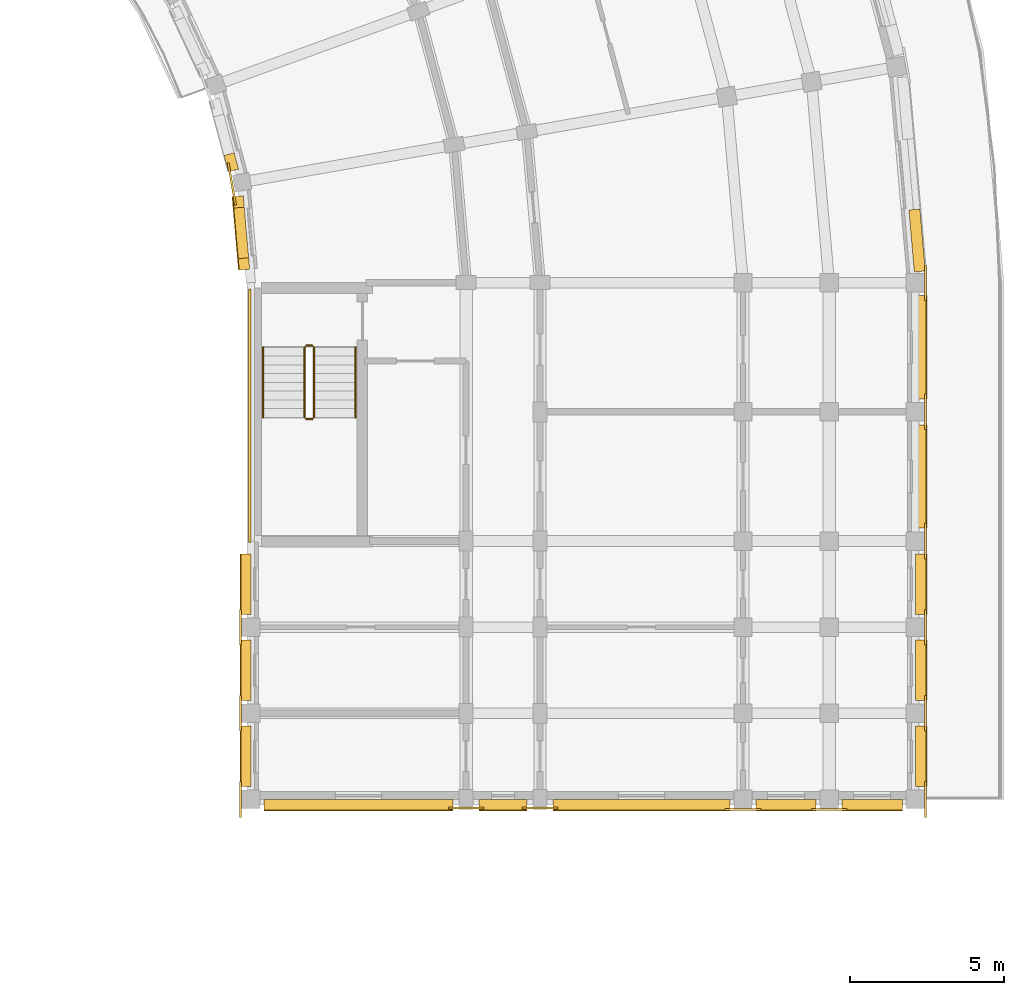
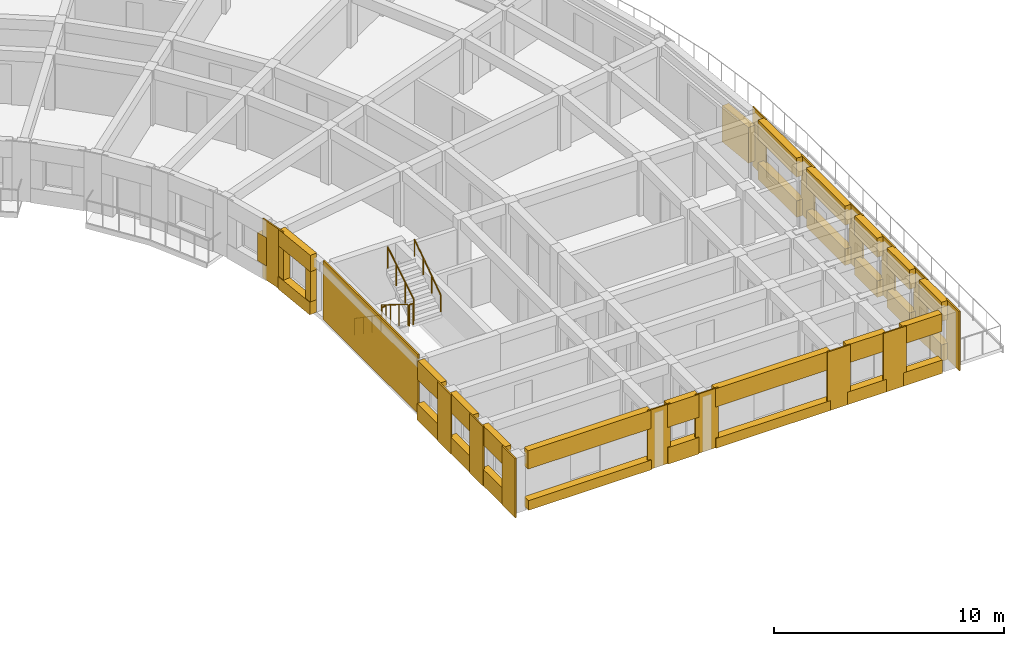
# One storey, part 38 of 41: 47 coverings, 6 railings.
"""IFC4 building model written with IfcOpenShell, lengths in metres."""

from ifc_helpers import new_model, si_unit, direction, frame, origin, origin_2d, place, context, subcontext, project, spatial, polyline, circle, outline, extrude, material, layer, layer_set, type_object, element, save


model = new_model("IFC4")

# Units and contexts
model_context = context("Model", 3, precision=1e-05, world=origin(), true_north=direction((0.0, 1.0)))
body_context = subcontext(model_context, "Body", "Model", "MODEL_VIEW")
ifc_project = project(units=[si_unit("LENGTHUNIT", "METRE"), si_unit("AREAUNIT", "SQUARE_METRE"), si_unit("VOLUMEUNIT", "CUBIC_METRE"), si_unit("PLANEANGLEUNIT", "RADIAN"), si_unit("MASSUNIT", "GRAM", prefix="KILO")], contexts=[model_context])

# Site, building, storey
site_placement = place(None, origin())
site = spatial("IfcSite", under=ifc_project, at=site_placement, CompositionType="ELEMENT")
building_placement = place(site_placement, origin())
building = spatial("IfcBuilding", under=site, at=building_placement, Name="Kiranvali Square Residences", CompositionType="ELEMENT")
storey_placement = place(building_placement, frame((0.0, 0.0, 33.89990234375)))
storey = spatial("IfcBuildingStorey", under=building, at=storey_placement, Name="L10", CompositionType="ELEMENT", Elevation=33.89990234375)

# Coverings
ifc_material_1 = material(Name="Honed Porbandar limestone ashlar facade cladding", Category="masonry")
ifc_layer_1 = layer(ifc_material_1, 0.3798828125)
ifc_layer_set_1 = layer_set([ifc_layer_1], Name="Honed Porbandar limestone ashlar facade cladding")
covering_type_1 = type_object("IfcCoveringType", Name="COV-CLAD-JAMB", PredefinedType="CLADDING", material=ifc_layer_set_1)
covering_1_placement = place(storey_placement, frame((0.0, 0.0, 0.380126953125)))
element("IfcCovering", 1, at=covering_1_placement, inside=storey, type_object=covering_type_1, Name="L10 deep limestone window jamb reveal B-L10-CRV-08.R", PredefinedType="CLADDING", context=body_context, shape_type="SweptSolid", body=[
    extrude(outline(polyline([(159.993896484375, 90.162109375), (160.169921875, 88.148681640625), (160.528076171875, 88.179931640625), (160.35205078125, 90.193359375), (159.993896484375, 90.162109375)])), origin(), (0.0, 0.0, 1.0), 1.89990234375),
])
covering_2_placement = place(storey_placement, frame((0.0, 0.0, 0.772216796875)))
element("IfcCovering", 2, at=covering_2_placement, inside=storey, type_object=covering_type_1, Name="L10 deep limestone window jamb reveal B-L10-GDN-07.R", PredefinedType="CLADDING", context=body_context, shape_type="SweptSolid", body=[
    extrude(outline(polyline([(137.730224609375, 91.931396484375), (137.8720703125, 91.401611328125), (138.199951171875, 91.489501953125), (138.05810546875, 92.019287109375), (137.730224609375, 91.931396484375)])), origin(), (0.0, 0.0, 1.0), 1.5),
])
covering_3_placement = place(storey_placement, frame((0.0, 0.0, 0.672119140625)))
element("IfcCovering", 3, at=covering_3_placement, inside=storey, type_object=covering_type_1, Name="L10 deep limestone window jamb reveal B-L10-GDN-08.L", PredefinedType="CLADDING", context=body_context, shape_type="SweptSolid", body=[
    extrude(outline(polyline([(138.013916015625, 90.5966796875), (138.046630859375, 90.224609375), (138.384765625, 90.254150390625), (138.352294921875, 90.626220703125), (138.013916015625, 90.5966796875)])), origin(), (0.0, 0.0, 1.0), 1.60009765625),
])
covering_4_placement = place(storey_placement, frame((0.0, 0.0, 0.672119140625)))
element("IfcCovering", 4, at=covering_4_placement, inside=storey, type_object=covering_type_1, Name="L10 deep limestone window jamb reveal B-L10-GDN-08.R", PredefinedType="CLADDING", context=body_context, shape_type="SweptSolid", body=[
    extrude(outline(polyline([(138.1904296875, 88.580810546875), (138.222900390625, 88.208740234375), (138.56103515625, 88.23828125), (138.528564453125, 88.6103515625), (138.1904296875, 88.580810546875)])), origin(), (0.0, 0.0, 1.0), 1.60009765625),
])
ifc_layer_2 = layer(ifc_material_1, 0.06494140625)
ifc_layer_set_2 = layer_set([ifc_layer_2], Name="Honed Porbandar limestone ashlar facade cladding")
covering_type_2 = type_object("IfcCoveringType", Name="COV-CLAD-PIER", PredefinedType="CLADDING", material=ifc_layer_set_2)
covering_5_placement = place(storey_placement, frame((0.0, 0.0, 0.005126953125)))
element("IfcCovering", 5, at=covering_5_placement, inside=storey, type_object=covering_type_2, Name="L10 Classical limestone corner pilaster CLAD-PR-B-L10-A09", PredefinedType="CLADDING", context=body_context, shape_type="SweptSolid", body=[
    extrude(outline(polyline([(160.568115234375, 87.219970703125), (160.568115234375, 88.3798828125), (160.50048828125, 88.3798828125), (160.50048828125, 87.219970703125), (160.568115234375, 87.219970703125)])), origin(), (0.0, 0.0, 1.0), 3.139892578125),
])
covering_6_placement = place(storey_placement, frame((0.0, 0.0, 0.005126953125)))
element("IfcCovering", 6, at=covering_6_placement, inside=storey, type_object=covering_type_2, Name="Block B L10 Arm 2 stair limestone ashlar cladding", PredefinedType="CLADDING", context=body_context, shape_type="SweptSolid", body=[
    extrude(outline(polyline([(138.52001953125, 87.60009765625), (138.52001953125, 79.35009765625), (138.597900390625, 79.35009765625), (138.597900390625, 87.60009765625), (138.52001953125, 87.60009765625)])), origin(), (0.0, 0.0, 1.0), 3.139892578125),
])
ifc_layer_3 = layer(ifc_material_1, 0.050048828125)
ifc_layer_set_3 = layer_set([ifc_layer_3], Name="Honed Porbandar limestone ashlar facade cladding")
covering_type_3 = type_object("IfcCoveringType", Name="COV-CLAD-PIER-IN", PredefinedType="CLADDING", material=ifc_layer_set_3)
covering_7_placement = place(storey_placement, frame((0.0, 0.0, 0.005126953125)))
element("IfcCovering", 7, at=covering_7_placement, inside=storey, type_object=covering_type_3, Name="L10 Classical garden courtyard pilaster CLAD-PRIN-B-L10-A08", PredefinedType="CLADDING", context=body_context, shape_type="SweptSolid", body=[
    extrude(outline(polyline([(137.830322265625, 91.68994140625), (138.073486328125, 90.311279296875), (138.139892578125, 90.322998046875), (137.89697265625, 91.70166015625), (137.830322265625, 91.68994140625)])), origin(), (0.0, 0.0, 1.0), 3.139892578125),
])
covering_8_placement = place(storey_placement, frame((0.0, 0.0, 0.005126953125)))
element("IfcCovering", 8, at=covering_8_placement, inside=storey, type_object=covering_type_3, Name="L10 Classical limestone pilaster casing CLAD-PRA2I-B-L10-V112", PredefinedType="CLADDING", context=body_context, shape_type="SweptSolid", body=[
    extrude(outline(polyline([(138.23193359375, 77.179931640625), (138.23193359375, 76.02001953125), (138.299560546875, 76.02001953125), (138.299560546875, 77.179931640625), (138.23193359375, 77.179931640625)])), origin(), (0.0, 0.0, 1.0), 3.139892578125),
])
covering_9_placement = place(storey_placement, frame((0.0, 0.0, 0.005126953125)))
element("IfcCovering", 9, at=covering_9_placement, inside=storey, type_object=covering_type_3, Name="L10 Classical limestone pilaster casing CLAD-PRA2I-B-L10-V140", PredefinedType="CLADDING", context=body_context, shape_type="SweptSolid", body=[
    extrude(outline(polyline([(138.23193359375, 74.3798828125), (138.23193359375, 73.219970703125), (138.299560546875, 73.219970703125), (138.299560546875, 74.3798828125), (138.23193359375, 74.3798828125)])), origin(), (0.0, 0.0, 1.0), 3.139892578125),
])
covering_10_placement = place(storey_placement, frame((0.0, 0.0, 0.005126953125)))
element("IfcCovering", 10, at=covering_10_placement, inside=storey, type_object=covering_type_3, Name="L10 Classical limestone pilaster casing CLAD-PRA2I-B-L10-V167", PredefinedType="CLADDING", context=body_context, shape_type="SweptSolid", body=[
    extrude(outline(polyline([(138.23193359375, 71.580078125), (138.23193359375, 70.419921875), (138.299560546875, 70.419921875), (138.299560546875, 71.580078125), (138.23193359375, 71.580078125)])), origin(), (0.0, 0.0, 1.0), 3.139892578125),
])
ifc_layer_4 = layer(ifc_material_1, 0.054931640625)
ifc_layer_set_4 = layer_set([ifc_layer_4], Name="Honed Porbandar limestone ashlar facade cladding")
covering_type_4 = type_object("IfcCoveringType", Name="COV-CLAD-PIER-UP", PredefinedType="CLADDING", material=ifc_layer_set_4)
covering_11_placement = place(storey_placement, frame((0.0, 0.0, 0.005126953125)))
element("IfcCovering", 11, at=covering_11_placement, inside=storey, type_object=covering_type_4, Name="L10 Classical limestone pilaster casing CLAD-PR-B-L10-V42", PredefinedType="CLADDING", context=body_context, shape_type="SweptSolid", body=[
    extrude(outline(polyline([(160.50048828125, 84.179931640625), (160.50048828125, 83.02001953125), (160.568115234375, 83.02001953125), (160.568115234375, 84.179931640625), (160.50048828125, 84.179931640625)])), origin(), (0.0, 0.0, 1.0), 3.139892578125),
])
covering_12_placement = place(storey_placement, frame((0.0, 0.0, 0.005126953125)))
element("IfcCovering", 12, at=covering_12_placement, inside=storey, type_object=covering_type_4, Name="L10 Classical limestone pilaster casing CLAD-PR-B-L10-V84", PredefinedType="CLADDING", context=body_context, shape_type="SweptSolid", body=[
    extrude(outline(polyline([(160.50048828125, 79.97998046875), (160.50048828125, 78.820068359375), (160.568115234375, 78.820068359375), (160.568115234375, 79.97998046875), (160.50048828125, 79.97998046875)])), origin(), (0.0, 0.0, 1.0), 3.139892578125),
])
covering_13_placement = place(storey_placement, frame((0.0, 0.0, 0.005126953125)))
element("IfcCovering", 13, at=covering_13_placement, inside=storey, type_object=covering_type_4, Name="L10 Classical limestone pilaster casing CLAD-PR-B-L10-V112", PredefinedType="CLADDING", context=body_context, shape_type="SweptSolid", body=[
    extrude(outline(polyline([(160.50048828125, 77.179931640625), (160.50048828125, 76.02001953125), (160.568115234375, 76.02001953125), (160.568115234375, 77.179931640625), (160.50048828125, 77.179931640625)])), origin(), (0.0, 0.0, 1.0), 3.139892578125),
])
covering_14_placement = place(storey_placement, frame((0.0, 0.0, 0.005126953125)))
element("IfcCovering", 14, at=covering_14_placement, inside=storey, type_object=covering_type_4, Name="L10 Classical limestone pilaster casing CLAD-PR-B-L10-V140", PredefinedType="CLADDING", context=body_context, shape_type="SweptSolid", body=[
    extrude(outline(polyline([(160.50048828125, 74.3798828125), (160.50048828125, 73.219970703125), (160.568115234375, 73.219970703125), (160.568115234375, 74.3798828125), (160.50048828125, 74.3798828125)])), origin(), (0.0, 0.0, 1.0), 3.139892578125),
])
covering_15_placement = place(storey_placement, frame((0.0, 0.0, 0.005126953125)))
element("IfcCovering", 15, at=covering_15_placement, inside=storey, type_object=covering_type_4, Name="L10 Classical limestone pilaster casing CLAD-PR-B-L10-V167", PredefinedType="CLADDING", context=body_context, shape_type="SweptSolid", body=[
    extrude(outline(polyline([(160.50048828125, 71.580078125), (160.50048828125, 70.419921875), (160.568115234375, 70.419921875), (160.568115234375, 71.580078125), (160.50048828125, 71.580078125)])), origin(), (0.0, 0.0, 1.0), 3.139892578125),
])
covering_16_placement = place(storey_placement, frame((0.0, 0.0, 0.005126953125)))
element("IfcCovering", 16, at=covering_16_placement, inside=storey, type_object=covering_type_4, Name="L10 Classical limestone pilaster casing CLAD-PRA2E-B-L10-R258", PredefinedType="CLADDING", context=body_context, shape_type="SweptSolid", body=[
    extrude(outline(polyline([(145.02001953125, 70.681884765625), (146.179931640625, 70.681884765625), (146.179931640625, 70.74951171875), (145.02001953125, 70.74951171875), (145.02001953125, 70.681884765625)])), origin(), (0.0, 0.0, 1.0), 3.139892578125),
])
covering_17_placement = place(storey_placement, frame((0.0, 0.0, 0.005126953125)))
element("IfcCovering", 17, at=covering_17_placement, inside=storey, type_object=covering_type_4, Name="L10 Classical limestone pilaster casing CLAD-PRA2E-B-L10-R282", PredefinedType="CLADDING", context=body_context, shape_type="SweptSolid", body=[
    extrude(outline(polyline([(147.419921875, 70.681884765625), (148.580078125, 70.681884765625), (148.580078125, 70.74951171875), (147.419921875, 70.74951171875), (147.419921875, 70.681884765625)])), origin(), (0.0, 0.0, 1.0), 3.139892578125),
])
covering_18_placement = place(storey_placement, frame((0.0, 0.0, 0.005126953125)))
element("IfcCovering", 18, at=covering_18_placement, inside=storey, type_object=covering_type_4, Name="L10 Classical limestone pilaster casing CLAD-PRA2E-B-L10-R348", PredefinedType="CLADDING", context=body_context, shape_type="SweptSolid", body=[
    extrude(outline(polyline([(154.02001953125, 70.632080078125), (155.179931640625, 70.632080078125), (155.179931640625, 70.699462890625), (154.02001953125, 70.699462890625), (154.02001953125, 70.632080078125)])), origin(), (0.0, 0.0, 1.0), 3.139892578125),
])
covering_19_placement = place(storey_placement, frame((0.0, 0.0, 0.005126953125)))
element("IfcCovering", 19, at=covering_19_placement, inside=storey, type_object=covering_type_4, Name="L10 Classical limestone pilaster casing CLAD-PRA2E-B-L10-R376", PredefinedType="CLADDING", context=body_context, shape_type="SweptSolid", body=[
    extrude(outline(polyline([(156.820068359375, 70.632080078125), (157.97998046875, 70.632080078125), (157.97998046875, 70.699462890625), (156.820068359375, 70.699462890625), (156.820068359375, 70.632080078125)])), origin(), (0.0, 0.0, 1.0), 3.139892578125),
])
ifc_layer_5 = layer(ifc_material_1, 0.360107421875)
ifc_layer_set_5 = layer_set([ifc_layer_5], Name="Honed Porbandar limestone ashlar facade cladding")
covering_type_5 = type_object("IfcCoveringType", Name="COV-CLAD-WALL", PredefinedType="CLADDING", material=ifc_layer_set_5)
covering_20_placement = place(storey_placement, frame((0.0, 0.0, 2.272216796875)))
element("IfcCovering", 20, at=covering_20_placement, inside=storey, type_object=covering_type_5, Name="L10 light limestone spandrel lintel B-L10-GDN-08", PredefinedType="CLADDING", context=body_context, shape_type="SweptSolid", body=[
    extrude(outline(polyline([(138.013916015625, 90.5966796875), (138.222900390625, 88.208740234375), (138.56103515625, 88.23828125), (138.352294921875, 90.626220703125), (138.013916015625, 90.5966796875)])), origin(), (0.0, 0.0, 1.0), 0.872802734375),
])
covering_21_placement = place(storey_placement, frame((0.0, 0.0, 2.130126953125)))
element("IfcCovering", 21, at=covering_21_placement, inside=storey, type_object=covering_type_5, Name="L10 light limestone spandrel lintel B-L10-A2O-0", PredefinedType="CLADDING", context=body_context, shape_type="SweptSolid", body=[
    extrude(outline(polyline([(160.200439453125, 87.3798828125), (160.200439453125, 84.02001953125), (160.550048828125, 84.02001953125), (160.550048828125, 87.3798828125), (160.200439453125, 87.3798828125)])), origin(), (0.0, 0.0, 1.0), 1.014892578125),
])
covering_22_placement = place(storey_placement, frame((0.0, 0.0, 2.130126953125)))
element("IfcCovering", 22, at=covering_22_placement, inside=storey, type_object=covering_type_5, Name="L10 light limestone spandrel lintel B-L10-A2O-1", PredefinedType="CLADDING", context=body_context, shape_type="SweptSolid", body=[
    extrude(outline(polyline([(160.200439453125, 83.179931640625), (160.200439453125, 79.820068359375), (160.550048828125, 79.820068359375), (160.550048828125, 83.179931640625), (160.200439453125, 83.179931640625)])), origin(), (0.0, 0.0, 1.0), 1.014892578125),
])
covering_23_placement = place(storey_placement, frame((0.0, 0.0, 2.130126953125)))
element("IfcCovering", 23, at=covering_23_placement, inside=storey, type_object=covering_type_5, Name="L10 light limestone spandrel lintel B-L10-A2O-2", PredefinedType="CLADDING", context=body_context, shape_type="SweptSolid", body=[
    extrude(outline(polyline([(160.200439453125, 78.97998046875), (160.200439453125, 77.02001953125), (160.550048828125, 77.02001953125), (160.550048828125, 78.97998046875), (160.200439453125, 78.97998046875)])), origin(), (0.0, 0.0, 1.0), 1.014892578125),
])
covering_24_placement = place(storey_placement, frame((0.0, 0.0, 2.130126953125)))
element("IfcCovering", 24, at=covering_24_placement, inside=storey, type_object=covering_type_5, Name="L10 light limestone spandrel lintel B-L10-A2O-3", PredefinedType="CLADDING", context=body_context, shape_type="SweptSolid", body=[
    extrude(outline(polyline([(160.200439453125, 76.179931640625), (160.200439453125, 74.219970703125), (160.550048828125, 74.219970703125), (160.550048828125, 76.179931640625), (160.200439453125, 76.179931640625)])), origin(), (0.0, 0.0, 1.0), 1.014892578125),
])
covering_25_placement = place(storey_placement, frame((0.0, 0.0, 2.130126953125)))
element("IfcCovering", 25, at=covering_25_placement, inside=storey, type_object=covering_type_5, Name="L10 light limestone spandrel lintel B-L10-A2O-4", PredefinedType="CLADDING", context=body_context, shape_type="SweptSolid", body=[
    extrude(outline(polyline([(160.200439453125, 73.3798828125), (160.200439453125, 71.419921875), (160.550048828125, 71.419921875), (160.550048828125, 73.3798828125), (160.200439453125, 73.3798828125)])), origin(), (0.0, 0.0, 1.0), 1.014892578125),
])
covering_26_placement = place(storey_placement, frame((0.0, 0.0, 2.130126953125)))
element("IfcCovering", 26, at=covering_26_placement, inside=storey, type_object=covering_type_5, Name="L10 light limestone spandrel lintel B-L10-A2I-0", PredefinedType="CLADDING", context=body_context, shape_type="SweptSolid", body=[
    extrude(outline(polyline([(138.280029296875, 78.97998046875), (138.280029296875, 77.02001953125), (138.599609375, 77.02001953125), (138.599609375, 78.97998046875), (138.280029296875, 78.97998046875)])), origin(), (0.0, 0.0, 1.0), 1.014892578125),
])
covering_27_placement = place(storey_placement, frame((0.0, 0.0, 2.130126953125)))
element("IfcCovering", 27, at=covering_27_placement, inside=storey, type_object=covering_type_5, Name="L10 light limestone spandrel lintel B-L10-A2I-1", PredefinedType="CLADDING", context=body_context, shape_type="SweptSolid", body=[
    extrude(outline(polyline([(138.280029296875, 76.179931640625), (138.280029296875, 74.219970703125), (138.599609375, 74.219970703125), (138.599609375, 76.179931640625), (138.280029296875, 76.179931640625)])), origin(), (0.0, 0.0, 1.0), 1.014892578125),
])
covering_28_placement = place(storey_placement, frame((0.0, 0.0, 2.130126953125)))
element("IfcCovering", 28, at=covering_28_placement, inside=storey, type_object=covering_type_5, Name="L10 light limestone spandrel lintel B-L10-A2I-2", PredefinedType="CLADDING", context=body_context, shape_type="SweptSolid", body=[
    extrude(outline(polyline([(138.280029296875, 73.3798828125), (138.280029296875, 71.419921875), (138.599609375, 71.419921875), (138.599609375, 73.3798828125), (138.280029296875, 73.3798828125)])), origin(), (0.0, 0.0, 1.0), 1.014892578125),
])
covering_29_placement = place(storey_placement, frame((0.0, 0.0, 2.172119140625)))
element("IfcCovering", 29, at=covering_29_placement, inside=storey, type_object=covering_type_5, Name="L10 light limestone spandrel lintel B-L10-A2END-0", PredefinedType="CLADDING", context=body_context, shape_type="SweptSolid", body=[
    extrude(outline(polyline([(139.02001953125, 70.659912109375), (145.179931640625, 70.659912109375), (145.179931640625, 70.99951171875), (139.02001953125, 70.99951171875), (139.02001953125, 70.659912109375)])), origin(), (0.0, 0.0, 1.0), 0.972900390625),
])
covering_30_placement = place(storey_placement, frame((0.0, 0.0, 1.93017578125)))
element("IfcCovering", 30, at=covering_30_placement, inside=storey, type_object=covering_type_5, Name="L10 light limestone spandrel lintel B-L10-A2END-1", PredefinedType="CLADDING", context=body_context, shape_type="SweptSolid", body=[
    extrude(outline(polyline([(146.02001953125, 70.659912109375), (147.580078125, 70.659912109375), (147.580078125, 70.99951171875), (146.02001953125, 70.99951171875), (146.02001953125, 70.659912109375)])), origin(), (0.0, 0.0, 1.0), 1.21484375),
])
covering_31_placement = place(storey_placement, frame((0.0, 0.0, 2.172119140625)))
element("IfcCovering", 31, at=covering_31_placement, inside=storey, type_object=covering_type_5, Name="L10 light limestone spandrel lintel B-L10-A2END-2", PredefinedType="CLADDING", context=body_context, shape_type="SweptSolid", body=[
    extrude(outline(polyline([(148.419921875, 70.659912109375), (154.179931640625, 70.659912109375), (154.179931640625, 70.99951171875), (148.419921875, 70.99951171875), (148.419921875, 70.659912109375)])), origin(), (0.0, 0.0, 1.0), 0.972900390625),
])
covering_32_placement = place(storey_placement, frame((0.0, 0.0, 2.172119140625)))
element("IfcCovering", 32, at=covering_32_placement, inside=storey, type_object=covering_type_5, Name="L10 light limestone spandrel lintel B-L10-A2END-3", PredefinedType="CLADDING", context=body_context, shape_type="SweptSolid", body=[
    extrude(outline(polyline([(155.02001953125, 70.659912109375), (156.97998046875, 70.659912109375), (156.97998046875, 70.99951171875), (155.02001953125, 70.99951171875), (155.02001953125, 70.659912109375)])), origin(), (0.0, 0.0, 1.0), 0.972900390625),
])
covering_33_placement = place(storey_placement, frame((0.0, 0.0, 2.212158203125)))
element("IfcCovering", 33, at=covering_33_placement, inside=storey, type_object=covering_type_5, Name="L10 light limestone spandrel lintel B-L10-A2END-4", PredefinedType="CLADDING", context=body_context, shape_type="SweptSolid", body=[
    extrude(outline(polyline([(157.820068359375, 70.659912109375), (159.780029296875, 70.659912109375), (159.780029296875, 70.99951171875), (157.820068359375, 70.99951171875), (157.820068359375, 70.659912109375)])), origin(), (0.0, 0.0, 1.0), 0.932861328125),
])
ifc_layer_6 = layer(ifc_material_1, 0.320068359375)
ifc_layer_set_6 = layer_set([ifc_layer_6], Name="Honed Porbandar limestone ashlar facade cladding")
covering_type_6 = type_object("IfcCoveringType", Name="COV-CLAD-WALL-UP", PredefinedType="CLADDING", material=ifc_layer_set_6)
covering_34_placement = place(storey_placement, frame((0.0, 0.0, 0.005126953125)))
element("IfcCovering", 34, at=covering_34_placement, inside=storey, type_object=covering_type_6, Name="L10 limestone window sill apron B-L10-GDN-08", PredefinedType="CLADDING", context=body_context, shape_type="SweptSolid", body=[
    extrude(outline(polyline([(137.984130859375, 90.593994140625), (138.193115234375, 88.2060546875), (138.56103515625, 88.23828125), (138.352294921875, 90.626220703125), (137.984130859375, 90.593994140625)])), origin(), (0.0, 0.0, 1.0), 0.6669921875),
])
covering_35_placement = place(storey_placement, frame((0.0, 0.0, 0.005126953125)))
element("IfcCovering", 35, at=covering_35_placement, inside=storey, type_object=covering_type_6, Name="L10 limestone window sill apron B-L10-A2O-0", PredefinedType="CLADDING", context=body_context, shape_type="SweptSolid", body=[
    extrude(outline(polyline([(160.200439453125, 87.3798828125), (160.200439453125, 84.02001953125), (160.580078125, 84.02001953125), (160.580078125, 87.3798828125), (160.200439453125, 87.3798828125)])), origin(), (0.0, 0.0, 1.0), 0.875),
])
covering_36_placement = place(storey_placement, frame((0.0, 0.0, 0.005126953125)))
element("IfcCovering", 36, at=covering_36_placement, inside=storey, type_object=covering_type_6, Name="L10 limestone window sill apron B-L10-A2O-1", PredefinedType="CLADDING", context=body_context, shape_type="SweptSolid", body=[
    extrude(outline(polyline([(160.200439453125, 83.179931640625), (160.200439453125, 79.820068359375), (160.580078125, 79.820068359375), (160.580078125, 83.179931640625), (160.200439453125, 83.179931640625)])), origin(), (0.0, 0.0, 1.0), 0.875),
])
covering_37_placement = place(storey_placement, frame((0.0, 0.0, 0.005126953125)))
element("IfcCovering", 37, at=covering_37_placement, inside=storey, type_object=covering_type_6, Name="L10 limestone window sill apron B-L10-A2O-2", PredefinedType="CLADDING", context=body_context, shape_type="SweptSolid", body=[
    extrude(outline(polyline([(160.200439453125, 78.97998046875), (160.200439453125, 77.02001953125), (160.580078125, 77.02001953125), (160.580078125, 78.97998046875), (160.200439453125, 78.97998046875)])), origin(), (0.0, 0.0, 1.0), 0.875),
])
covering_38_placement = place(storey_placement, frame((0.0, 0.0, 0.005126953125)))
element("IfcCovering", 38, at=covering_38_placement, inside=storey, type_object=covering_type_6, Name="L10 limestone window sill apron B-L10-A2O-3", PredefinedType="CLADDING", context=body_context, shape_type="SweptSolid", body=[
    extrude(outline(polyline([(160.200439453125, 76.179931640625), (160.200439453125, 74.219970703125), (160.580078125, 74.219970703125), (160.580078125, 76.179931640625), (160.200439453125, 76.179931640625)])), origin(), (0.0, 0.0, 1.0), 0.875),
])
covering_39_placement = place(storey_placement, frame((0.0, 0.0, 0.005126953125)))
element("IfcCovering", 39, at=covering_39_placement, inside=storey, type_object=covering_type_6, Name="L10 limestone window sill apron B-L10-A2O-4", PredefinedType="CLADDING", context=body_context, shape_type="SweptSolid", body=[
    extrude(outline(polyline([(160.200439453125, 73.3798828125), (160.200439453125, 71.419921875), (160.580078125, 71.419921875), (160.580078125, 73.3798828125), (160.200439453125, 73.3798828125)])), origin(), (0.0, 0.0, 1.0), 0.875),
])
covering_40_placement = place(storey_placement, frame((0.0, 0.0, 0.005126953125)))
element("IfcCovering", 40, at=covering_40_placement, inside=storey, type_object=covering_type_6, Name="L10 limestone window sill apron B-L10-A2I-0", PredefinedType="CLADDING", context=body_context, shape_type="SweptSolid", body=[
    extrude(outline(polyline([(138.25, 78.97998046875), (138.25, 77.02001953125), (138.599609375, 77.02001953125), (138.599609375, 78.97998046875), (138.25, 78.97998046875)])), origin(), (0.0, 0.0, 1.0), 0.875),
])
covering_41_placement = place(storey_placement, frame((0.0, 0.0, 0.005126953125)))
element("IfcCovering", 41, at=covering_41_placement, inside=storey, type_object=covering_type_6, Name="L10 limestone window sill apron B-L10-A2I-1", PredefinedType="CLADDING", context=body_context, shape_type="SweptSolid", body=[
    extrude(outline(polyline([(138.25, 76.179931640625), (138.25, 74.219970703125), (138.599609375, 74.219970703125), (138.599609375, 76.179931640625), (138.25, 76.179931640625)])), origin(), (0.0, 0.0, 1.0), 0.875),
])
covering_42_placement = place(storey_placement, frame((0.0, 0.0, 0.005126953125)))
element("IfcCovering", 42, at=covering_42_placement, inside=storey, type_object=covering_type_6, Name="L10 limestone window sill apron B-L10-A2I-2", PredefinedType="CLADDING", context=body_context, shape_type="SweptSolid", body=[
    extrude(outline(polyline([(138.25, 73.3798828125), (138.25, 71.419921875), (138.599609375, 71.419921875), (138.599609375, 73.3798828125), (138.25, 73.3798828125)])), origin(), (0.0, 0.0, 1.0), 0.875),
])
covering_43_placement = place(storey_placement, frame((0.0, 0.0, 0.005126953125)))
element("IfcCovering", 43, at=covering_43_placement, inside=storey, type_object=covering_type_6, Name="L10 limestone window sill apron B-L10-A2END-0", PredefinedType="CLADDING", context=body_context, shape_type="SweptSolid", body=[
    extrude(outline(polyline([(139.02001953125, 70.6298828125), (145.179931640625, 70.6298828125), (145.179931640625, 70.99951171875), (139.02001953125, 70.99951171875), (139.02001953125, 70.6298828125)])), origin(), (0.0, 0.0, 1.0), 0.51708984375),
])
covering_44_placement = place(storey_placement, frame((0.0, 0.0, 0.005126953125)))
element("IfcCovering", 44, at=covering_44_placement, inside=storey, type_object=covering_type_6, Name="L10 limestone window sill apron B-L10-A2END-1", PredefinedType="CLADDING", context=body_context, shape_type="SweptSolid", body=[
    extrude(outline(polyline([(146.02001953125, 70.6298828125), (147.580078125, 70.6298828125), (147.580078125, 70.99951171875), (146.02001953125, 70.99951171875), (146.02001953125, 70.6298828125)])), origin(), (0.0, 0.0, 1.0), 0.875),
])
covering_45_placement = place(storey_placement, frame((0.0, 0.0, 0.005126953125)))
element("IfcCovering", 45, at=covering_45_placement, inside=storey, type_object=covering_type_6, Name="L10 limestone window sill apron B-L10-A2END-2", PredefinedType="CLADDING", context=body_context, shape_type="SweptSolid", body=[
    extrude(outline(polyline([(148.419921875, 70.6298828125), (154.179931640625, 70.6298828125), (154.179931640625, 70.99951171875), (148.419921875, 70.99951171875), (148.419921875, 70.6298828125)])), origin(), (0.0, 0.0, 1.0), 0.51708984375),
])
covering_46_placement = place(storey_placement, frame((0.0, 0.0, 0.005126953125)))
element("IfcCovering", 46, at=covering_46_placement, inside=storey, type_object=covering_type_6, Name="L10 limestone window sill apron B-L10-A2END-3", PredefinedType="CLADDING", context=body_context, shape_type="SweptSolid", body=[
    extrude(outline(polyline([(155.02001953125, 70.6298828125), (156.97998046875, 70.6298828125), (156.97998046875, 70.99951171875), (155.02001953125, 70.99951171875), (155.02001953125, 70.6298828125)])), origin(), (0.0, 0.0, 1.0), 0.6669921875),
])
covering_47_placement = place(storey_placement, frame((0.0, 0.0, 0.005126953125)))
element("IfcCovering", 47, at=covering_47_placement, inside=storey, type_object=covering_type_6, Name="L10 limestone window sill apron B-L10-A2END-4", PredefinedType="CLADDING", context=body_context, shape_type="SweptSolid", body=[
    extrude(outline(polyline([(157.820068359375, 70.6298828125), (159.780029296875, 70.6298828125), (159.780029296875, 70.99951171875), (157.820068359375, 70.99951171875), (157.820068359375, 70.6298828125)])), origin(), (0.0, 0.0, 1.0), 0.70703125),
])

# Railings
ifc_material_2 = material(Name="Brushed stainless steel tubular handrail", Category="steel")
railing_type_1 = type_object("IfcRailingType", Name="RL-HANDRAIL-900", PredefinedType="HANDRAIL", material=ifc_material_2)
railing_1_placement = place(storey_placement, frame((139.0, 85.699951171875, 0.175048828125)))
element("IfcRailing", 48, at=railing_1_placement, inside=storey, type_object=railing_type_1, Name="L10 ST-B3 stair handrail 1", PredefinedType="HANDRAIL", context=body_context, shape_type="SweptSolid", body=[
    extrude(circle(Radius=0.02392578125, at=origin_2d()), frame((0.0, 0.0, 0.8759765625), z_axis=(0.0, -0.82278801735, 0.568348377763), x_axis=(1.0, 0.0, 0.0)), (0.0, 0.0, 1.0), 2.77099609375),
    extrude(circle(Radius=0.02099609375, at=origin_2d()), origin(), (0.0, 0.0, 1.0), 0.851806640625),
    extrude(circle(Radius=0.02099609375, at=origin_2d()), frame((0.0, -0.760009765625, 0.52490234375)), (0.0, 0.0, 1.0), 0.851806640625),
    extrude(circle(Radius=0.02099609375, at=origin_2d()), frame((0.0, -1.52001953125, 1.050048828125)), (0.0, 0.0, 1.0), 0.851806640625),
    extrude(circle(Radius=0.02099609375, at=origin_2d()), frame((0.0, -2.280029296875, 1.574951171875)), (0.0, 0.0, 1.0), 0.851806640625),
])
railing_2_placement = place(storey_placement, frame((142.0, 83.419921875, 1.75)))
element("IfcRailing", 49, at=railing_2_placement, inside=storey, type_object=railing_type_1, Name="L10 ST-B3 stair handrail 2", PredefinedType="HANDRAIL", context=body_context, shape_type="SweptSolid", body=[
    extrude(circle(Radius=0.02392578125, at=origin_2d()), frame((0.0, 0.0, 0.8759765625), z_axis=(0.0, 0.82274681792, 0.568408016835), x_axis=(-1.0, 0.0, 0.0)), (0.0, 0.0, 1.0), 2.771240234375),
    extrude(circle(Radius=0.02099609375, at=origin_2d()), origin(), (0.0, 0.0, 1.0), 0.851806640625),
    extrude(circle(Radius=0.02099609375, at=origin_2d()), frame((0.0, 0.760009765625, 0.525146484375)), (0.0, 0.0, 1.0), 0.851806640625),
    extrude(circle(Radius=0.02099609375, at=origin_2d()), frame((0.0, 1.52001953125, 1.050048828125)), (0.0, 0.0, 1.0), 0.851806640625),
    extrude(circle(Radius=0.02099609375, at=origin_2d()), frame((0.0, 2.280029296875, 1.5751953125)), (0.0, 0.0, 1.0), 0.851806640625),
])
ifc_material_3 = material(Name="Powder-coated architectural bronze balustrade", Category="steel")
railing_type_2 = type_object("IfcRailingType", Name="RL-ST-GUARD-1200", PredefinedType="GUARDRAIL", material=ifc_material_3)
railing_3_placement = place(storey_placement, frame((140.35009765625, 85.699951171875, 0.175048828125)))
element("IfcRailing", 50, at=railing_3_placement, inside=storey, type_object=railing_type_2, Name="L10 ST-B3 stair guard 1", PredefinedType="GUARDRAIL", context=body_context, shape_type="SweptSolid", body=[
    extrude(circle(Radius=0.02392578125, at=origin_2d()), frame((0.0, 0.0, 1.1259765625), z_axis=(0.0, -0.852149810458, 0.523297908018), x_axis=(1.0, 0.0, 0.0)), (0.0, 0.0, 1.0), 2.675537109375),
    extrude(circle(Radius=0.02099609375, at=origin_2d()), origin(), (0.0, 0.0, 1.0), 1.101806640625),
    extrude(circle(Radius=0.02099609375, at=origin_2d()), frame((0.0, -0.760009765625, 0.466796875)), (0.0, 0.0, 1.0), 1.101806640625),
    extrude(circle(Radius=0.02099609375, at=origin_2d()), frame((0.0, -1.52001953125, 0.933349609375)), (0.0, 0.0, 1.0), 1.101806640625),
    extrude(circle(Radius=0.02099609375, at=origin_2d()), frame((0.0, -2.280029296875, 1.400146484375)), (0.0, 0.0, 1.0), 1.101806640625),
])
railing_4_placement = place(storey_placement, frame((140.39990234375, 83.3701171875, 1.5751953125)))
element("IfcRailing", 51, at=railing_4_placement, inside=storey, type_object=railing_type_2, Name="L10 ST-B3 stair guard 2", PredefinedType="GUARDRAIL", context=body_context, shape_type="SweptSolid", body=[
    extrude(circle(Radius=0.02392578125, at=origin_2d()), frame((0.0, 0.0, 1.1259765625), z_axis=(1.0, 0.0, 0.0), x_axis=(0.0, 1.0, 0.0)), (0.0, 0.0, 1.0), 0.2001953125),
    extrude(circle(Radius=0.02099609375, at=origin_2d()), origin(), (0.0, 0.0, 1.0), 1.101806640625),
    extrude(circle(Radius=0.02099609375, at=origin_2d()), frame((0.2001953125, 0.0, 0.0)), (0.0, 0.0, 1.0), 1.101806640625),
])
railing_5_placement = place(storey_placement, frame((140.64990234375, 83.419921875, 1.75)))
element("IfcRailing", 52, at=railing_5_placement, inside=storey, type_object=railing_type_2, Name="L10 ST-B3 stair guard 3", PredefinedType="GUARDRAIL", context=body_context, shape_type="SweptSolid", body=[
    extrude(circle(Radius=0.02392578125, at=origin_2d()), frame((0.0, 0.0, 1.1259765625), z_axis=(0.0, 0.852149810458, 0.523297908018), x_axis=(-1.0, 0.0, 0.0)), (0.0, 0.0, 1.0), 2.675537109375),
    extrude(circle(Radius=0.02099609375, at=origin_2d()), origin(), (0.0, 0.0, 1.0), 1.101806640625),
    extrude(circle(Radius=0.02099609375, at=origin_2d()), frame((0.0, 0.760009765625, 0.466796875)), (0.0, 0.0, 1.0), 1.101806640625),
    extrude(circle(Radius=0.02099609375, at=origin_2d()), frame((0.0, 1.52001953125, 0.933349609375)), (0.0, 0.0, 1.0), 1.101806640625),
    extrude(circle(Radius=0.02099609375, at=origin_2d()), frame((0.0, 2.280029296875, 1.400146484375)), (0.0, 0.0, 1.0), 1.101806640625),
])
railing_6_placement = place(storey_placement, frame((140.39990234375, 85.75, 0.0)))
element("IfcRailing", 53, at=railing_6_placement, inside=storey, type_object=railing_type_2, Name="L10 ST-B3 stair guard 4", PredefinedType="GUARDRAIL", context=body_context, shape_type="SweptSolid", body=[
    extrude(circle(Radius=0.02392578125, at=origin_2d()), frame((0.0, 0.0, 1.1259765625), z_axis=(1.0, 0.0, 0.0), x_axis=(0.0, 1.0, 0.0)), (0.0, 0.0, 1.0), 0.2001953125),
    extrude(circle(Radius=0.02099609375, at=origin_2d()), origin(), (0.0, 0.0, 1.0), 1.101806640625),
    extrude(circle(Radius=0.02099609375, at=origin_2d()), frame((0.2001953125, 0.0, 0.0)), (0.0, 0.0, 1.0), 1.101806640625),
])

save(model, "model.ifc")
